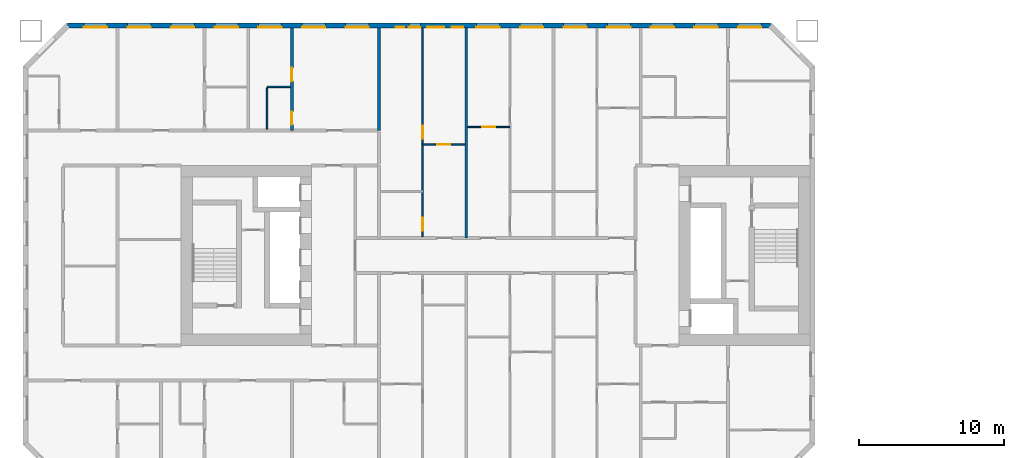
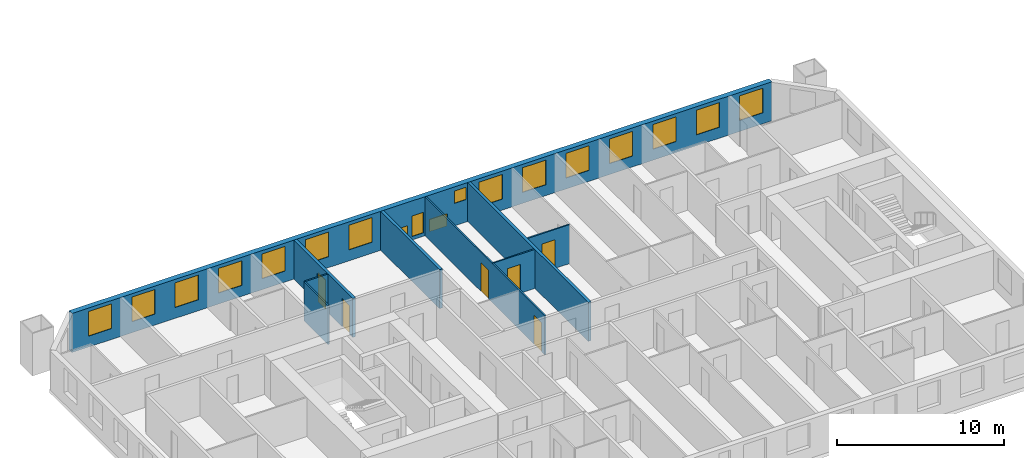
# One storey, part 5 of 16: 18 windows, 9 walls, 6 doors, 24 openings.
"""IFC4 building model written with IfcOpenShell, lengths in metres."""

import ifcopenshell
import ifcopenshell.guid

model = None  # the IFC model being written
_history = None  # IfcOwnerHistory: only IFC2X3 demands one
_inside = {}  # id of a spatial element -> (the spatial element, [elements in it])
_under = {}  # id of a project, library or spatial element -> (it, [spatial elements below it])
_declared = {}  # id of a project -> (the project, [libraries it declares])
_typed = {}  # id of a type object -> (the type object, [elements of that type])
_made_of = {}  # id of a material, layer set ... -> (it, [elements and type objects made of it])


def new_model(schema):
    """Start an empty IFC model of exactly this schema.

    Asked for "IFC4X3", IfcOpenShell would pick the latest addendum, in which some entities
    have other attributes; the version numbers below select the first issue.
    IFC2X3 requires an IfcOwnerHistory on every rooted entity: one is made here for all.
    """
    global model, _history
    if schema == "IFC4X3":
        model = ifcopenshell.file(schema_version=(4, 3, 0, 0))
    else:
        model = ifcopenshell.file(schema=schema)
    _inside.clear()
    _under.clear()
    _declared.clear()
    _typed.clear()
    _made_of.clear()
    _history = None
    if model.schema == "IFC2X3":
        org = make("IfcOrganization", Name="unknown")
        user = make(
            "IfcPersonAndOrganization",
            ThePerson=make("IfcPerson", FamilyName="unknown"),
            TheOrganization=org,
        )
        app = make(
            "IfcApplication",
            ApplicationDeveloper=org,
            Version="unknown",
            ApplicationFullName="unknown",
            ApplicationIdentifier="unknown",
        )
        _history = make(
            "IfcOwnerHistory",
            OwningUser=user,
            OwningApplication=app,
            ChangeAction="ADDED",
            CreationDate=0,
        )
    return model


def make(cls, **values):
    """One entity of the class cls with the attributes given. An attribute that is None is left unset."""
    return model.create_entity(
        cls, **{name: value for name, value in values.items() if value is not None}
    )


def rooted(cls, **values):
    """An entity with a GlobalId (a new one), such as an element, a storey or a relation."""
    return make(cls, GlobalId=ifcopenshell.guid.new(), OwnerHistory=_history, **values)


def si_unit(unit_type, name, prefix=None):
    """IfcSIUnit, for example si_unit("LENGTHUNIT", "METRE", prefix="MILLI")."""
    return make("IfcSIUnit", UnitType=unit_type, Prefix=prefix, Name=name)


def assignment(units):
    """IfcUnitAssignment: the units of a project."""
    return None if units is None else make("IfcUnitAssignment", Units=units)


def point(xyz):
    """IfcCartesianPoint."""
    return None if xyz is None else make("IfcCartesianPoint", Coordinates=xyz)


def direction(xyz):
    """IfcDirection."""
    return None if xyz is None else make("IfcDirection", DirectionRatios=xyz)


def frame(location, z_axis=None, x_axis=None):
    """IfcAxis2Placement3D, a coordinate frame: its origin and axes. An axis left out is left unset."""
    return make(
        "IfcAxis2Placement3D",
        Location=point(location),
        Axis=direction(z_axis),
        RefDirection=direction(x_axis),
    )


def frame_2d(location, x_axis=None):
    """IfcAxis2Placement2D, a coordinate frame in the plane: its origin and x axis."""
    return make(
        "IfcAxis2Placement2D", Location=point(location), RefDirection=direction(x_axis)
    )


def origin():
    """The frame at (0, 0, 0) with its axes left unset."""
    return frame((0.0, 0.0, 0.0))


def place(relative_to, where):
    """IfcLocalPlacement: puts the frame where relative to a parent placement (None: the world)."""
    return make(
        "IfcLocalPlacement", PlacementRelTo=relative_to, RelativePlacement=where
    )


def context(
    kind, dimensions, precision=None, world=None, true_north=None, identifier=None
):
    """IfcGeometricRepresentationContext, for example the 3D "Model" context."""
    return make(
        "IfcGeometricRepresentationContext",
        ContextIdentifier=identifier,
        ContextType=kind,
        CoordinateSpaceDimension=dimensions,
        Precision=precision,
        WorldCoordinateSystem=world,
        TrueNorth=true_north,
    )


def subcontext(parent, identifier, kind, view, scale=None):
    """IfcGeometricRepresentationSubContext, for example "Body" below "Model"."""
    return make(
        "IfcGeometricRepresentationSubContext",
        ContextIdentifier=identifier,
        ContextType=kind,
        ParentContext=parent,
        TargetScale=scale,
        TargetView=view,
    )


def project(units=None, contexts=None):
    """IfcProject with its units and contexts."""
    return rooted(
        "IfcProject",
        Name="project",
        RepresentationContexts=contexts,
        UnitsInContext=assignment(units),
    )


def spatial(cls, under=None, at=None, **own):
    """A site, building, storey or space (cls), placed at a placement, below another one or the project."""
    s = rooted(cls, ObjectPlacement=at, **own)
    if under is not None:
        _under.setdefault(under.id(), (under, []))[1].append(s)
    return s


def profile(cls, at=None, kind="AREA", **sizes):
    """A parametric profile (cls). Its sizes go by their IFC names, for example OverallWidth=200.0."""
    return make(cls, ProfileType=kind, Position=at, **sizes)


def rectangle(**sizes):
    """IfcRectangleProfileDef."""
    return profile("IfcRectangleProfileDef", **sizes)


def extrude(swept, where, along, depth):
    """IfcExtrudedAreaSolid: the profile swept, set in the frame where, extruded along a direction by depth."""
    return make(
        "IfcExtrudedAreaSolid",
        SweptArea=swept,
        Position=where,
        ExtrudedDirection=direction(along),
        Depth=depth,
    )


def shape(context_of_items, identifier, shape_type, items):
    """IfcShapeRepresentation: the items that make up one representation, for example the "Body"."""
    return make(
        "IfcShapeRepresentation",
        ContextOfItems=context_of_items,
        RepresentationIdentifier=identifier,
        RepresentationType=shape_type,
        Items=items,
    )


def material(Name=None, Category=None):
    """IfcMaterial."""
    return make("IfcMaterial", Name=Name, Category=Category)


def layer(
    of_material, thickness, ventilated=None, Name=None, Category=None, Priority=None
):
    """IfcMaterialLayer: one layer of a wall or slab, of a material (None: an air gap)."""
    return make(
        "IfcMaterialLayer",
        Material=of_material,
        LayerThickness=thickness,
        IsVentilated=ventilated,
        Name=Name,
        Category=Category,
        Priority=Priority,
    )


def layer_set(layers, Name=None):
    """IfcMaterialLayerSet."""
    return make("IfcMaterialLayerSet", MaterialLayers=layers, LayerSetName=Name)


def made_of(thing, what):
    """Note that an element or type object is made of a material, layer set ...; save() writes the relation."""
    if what is not None:
        _made_of.setdefault(what.id(), (what, []))[1].append(thing)
    return thing


def type_object(cls, material=None, **own):
    """A type object (cls), such as IfcWallType, which elements share."""
    return made_of(rooted(cls, **own), material)


def element(
    cls,
    number,
    at=None,
    inside=None,
    cuts=None,
    type_object=None,
    material=None,
    context=None,
    identifier="Body",
    shape_type=None,
    held_by="IfcProductDefinitionShape",
    body=None,
    shapes=None,
    **own,
):
    """One element of the class cls, such as IfcWall. Its Tag is "e" and its number.

    at: its placement. inside: the storey or other place that contains it. cuts: it is an
    opening in that element (IfcRelVoidsElement). A single representation is given by context,
    identifier, shape_type and body (its items); several are given by shapes. held_by: the class
    of the entity that holds the representations. save() writes the other relations.
    """
    e = rooted(cls, Tag="e%d" % number, ObjectPlacement=at, **own)
    if body is not None:
        shapes = [shape(context, identifier, shape_type, body)]
    if shapes is not None:
        e.Representation = make(held_by, Representations=shapes)
    if inside is not None:
        _inside.setdefault(inside.id(), (inside, []))[1].append(e)
    if cuts is not None:
        rooted(
            "IfcRelVoidsElement", RelatingBuildingElement=cuts, RelatedOpeningElement=e
        )
    if type_object is not None:
        _typed.setdefault(type_object.id(), (type_object, []))[1].append(e)
    return made_of(e, material)


def fill(opening, filler):
    """IfcRelFillsElement: the door or window that sits in an opening."""
    return rooted(
        "IfcRelFillsElement",
        RelatingOpeningElement=opening,
        RelatedBuildingElement=filler,
    )


def aggregate(whole, parts):
    """IfcRelAggregates: a whole, such as a stair, and the parts it consists of."""
    return rooted("IfcRelAggregates", RelatingObject=whole, RelatedObjects=parts)


def save(model, path):
    """Write the relations noted so far, then the file.

    IfcRelAggregates (storeys below a building ...), IfcRelContainedInSpatialStructure (elements
    in a storey), IfcRelDefinesByType, IfcRelAssociatesMaterial and IfcRelDeclares: one each for
    every whole, place, type object, material and project.
    """
    for whole, parts in _under.values():
        aggregate(whole, parts)
    for where, things in _inside.values():
        rooted(
            "IfcRelContainedInSpatialStructure",
            RelatedElements=things,
            RelatingStructure=where,
        )
    for kind, things in _typed.values():
        rooted("IfcRelDefinesByType", RelatedObjects=things, RelatingType=kind)
    for what, things in _made_of.values():
        rooted("IfcRelAssociatesMaterial", RelatedObjects=things, RelatingMaterial=what)
    for by, libraries in _declared.values():
        rooted("IfcRelDeclares", RelatingContext=by, RelatedDefinitions=libraries)
    model.write(path)


model = new_model("IFC4")

# Units and contexts
model_context = context("Model", 3, precision=1e-05, world=origin(), true_north=direction((0.0, 1.0)))
body_context = subcontext(model_context, "Body", "Model", "MODEL_VIEW")
ifc_project = project(units=[si_unit("LENGTHUNIT", "METRE"), si_unit("AREAUNIT", "SQUARE_METRE"), si_unit("VOLUMEUNIT", "CUBIC_METRE"), si_unit("PLANEANGLEUNIT", "RADIAN"), si_unit("MASSUNIT", "GRAM", prefix="KILO")], contexts=[model_context])

# Site, building, storey
site_placement = place(None, origin())
site = spatial("IfcSite", under=ifc_project, at=site_placement, CompositionType="ELEMENT")
building_placement = place(site_placement, origin())
building = spatial("IfcBuilding", under=site, at=building_placement, Name="Tuart Gate Housing", CompositionType="ELEMENT")
storey_placement = place(building_placement, frame((0.0, 0.0, 59.800048828125)))
storey = spatial("IfcBuildingStorey", under=building, at=storey_placement, Name="L16", CompositionType="ELEMENT", Elevation=59.800048828125)

# Wall, openings, windows
ifc_material_1 = material(Name="Brick", Category="masonry")
ifc_layer_1 = layer(ifc_material_1, 0.360107421875)
ifc_layer_set_1 = layer_set([ifc_layer_1], Name="Brick pier and spandrel wall 360")
wall_type_1 = type_object("IfcWallType", Name="Brick pier and spandrel wall 360", PredefinedType="STANDARD", material=ifc_layer_set_1)
wall_1_placement = place(storey_placement, frame((72.92529296875, 85.820068359375, 0.0), z_axis=(0.0, 0.0, 1.0), x_axis=(-1.0, 0.0, 0.0)))
wall_1 = element("IfcWall", 1, at=wall_1_placement, inside=storey, type_object=wall_type_1, Name="External wall A-N L16", PredefinedType="STANDARD", context=body_context, shape_type="SweptSolid", body=[
    extrude(rectangle(XDim=48.350830078125, YDim=0.360107421875, at=frame_2d((24.17529296875, 0.0))), origin(), (0.0, 0.0, 1.0), 2.849853515625),
])
opening_1_placement = place(wall_1_placement, frame((0.62548828125, 0.0, 0.800048828125)))
opening_1 = element("IfcOpeningElement", 2, at=opening_1_placement, cuts=wall_1, Name="Opening W1", PredefinedType="OPENING", context=body_context, shape_type="SweptSolid", body=[
    extrude(rectangle(XDim=1.60009765625, YDim=1.800048828125, at=frame_2d((0.800048828125, 0.89990234375))), frame((0.0, 0.18994140625, 0.0), z_axis=(0.0, -1.0, 0.0), x_axis=(1.0, 0.0, 0.0)), (0.0, 0.0, 1.0), 0.380126953125),
])
opening_2_placement = place(wall_1_placement, frame((3.62548828125, 0.0, 0.800048828125)))
opening_2 = element("IfcOpeningElement", 3, at=opening_2_placement, cuts=wall_1, Name="Opening W1", PredefinedType="OPENING", context=body_context, shape_type="SweptSolid", body=[
    extrude(rectangle(XDim=1.60009765625, YDim=1.800048828125, at=frame_2d((0.800048828125, 0.89990234375))), frame((0.0, 0.18994140625, 0.0), z_axis=(0.0, -1.0, 0.0), x_axis=(1.0, 0.0, 0.0)), (0.0, 0.0, 1.0), 0.380126953125),
])
opening_3_placement = place(wall_1_placement, frame((6.62548828125, 0.0, 0.800048828125)))
opening_3 = element("IfcOpeningElement", 4, at=opening_3_placement, cuts=wall_1, Name="Opening W1", PredefinedType="OPENING", context=body_context, shape_type="SweptSolid", body=[
    extrude(rectangle(XDim=1.60009765625, YDim=1.800048828125, at=frame_2d((0.800048828125, 0.89990234375))), frame((0.0, 0.18994140625, 0.0), z_axis=(0.0, -1.0, 0.0), x_axis=(1.0, 0.0, 0.0)), (0.0, 0.0, 1.0), 0.380126953125),
])
opening_4_placement = place(wall_1_placement, frame((9.62548828125, 0.0, 0.800048828125)))
opening_4 = element("IfcOpeningElement", 5, at=opening_4_placement, cuts=wall_1, Name="Opening W1", PredefinedType="OPENING", context=body_context, shape_type="SweptSolid", body=[
    extrude(rectangle(XDim=1.60009765625, YDim=1.800048828125, at=frame_2d((0.800048828125, 0.89990234375))), frame((0.0, 0.18994140625, 0.0), z_axis=(0.0, -1.0, 0.0), x_axis=(1.0, 0.0, 0.0)), (0.0, 0.0, 1.0), 0.380126953125),
])
opening_5_placement = place(wall_1_placement, frame((12.62548828125, 0.0, 0.800048828125)))
opening_5 = element("IfcOpeningElement", 6, at=opening_5_placement, cuts=wall_1, Name="Opening W1", PredefinedType="OPENING", context=body_context, shape_type="SweptSolid", body=[
    extrude(rectangle(XDim=1.60009765625, YDim=1.800048828125, at=frame_2d((0.800048828125, 0.89990234375))), frame((0.0, 0.18994140625, 0.0), z_axis=(0.0, -1.0, 0.0), x_axis=(1.0, 0.0, 0.0)), (0.0, 0.0, 1.0), 0.380126953125),
])
opening_6_placement = place(wall_1_placement, frame((15.62548828125, 0.0, 0.800048828125)))
opening_6 = element("IfcOpeningElement", 7, at=opening_6_placement, cuts=wall_1, Name="Opening W1", PredefinedType="OPENING", context=body_context, shape_type="SweptSolid", body=[
    extrude(rectangle(XDim=1.60009765625, YDim=1.800048828125, at=frame_2d((0.800048828125, 0.89990234375))), frame((0.0, 0.18994140625, 0.0), z_axis=(0.0, -1.0, 0.0), x_axis=(1.0, 0.0, 0.0)), (0.0, 0.0, 1.0), 0.380126953125),
])
opening_7_placement = place(wall_1_placement, frame((18.62548828125, 0.0, 0.800048828125)))
opening_7 = element("IfcOpeningElement", 8, at=opening_7_placement, cuts=wall_1, Name="Opening W1", PredefinedType="OPENING", context=body_context, shape_type="SweptSolid", body=[
    extrude(rectangle(XDim=1.60009765625, YDim=1.800048828125, at=frame_2d((0.800048828125, 0.89990234375))), frame((0.0, 0.18994140625, 0.0), z_axis=(0.0, -1.0, 0.0), x_axis=(1.0, 0.0, 0.0)), (0.0, 0.0, 1.0), 0.380126953125),
])
opening_8_placement = place(wall_1_placement, frame((21.12548828125, 0.0, 1.64990234375)))
opening_8 = element("IfcOpeningElement", 9, at=opening_8_placement, cuts=wall_1, Name="Opening W1V", PredefinedType="OPENING", context=body_context, shape_type="SweptSolid", body=[
    extrude(rectangle(XDim=0.800048828125, YDim=0.89990234375, at=frame_2d((0.39990234375, 0.449951171875))), frame((0.0, 0.18994140625, 0.0), z_axis=(0.0, -1.0, 0.0), x_axis=(1.0, 0.0, 0.0)), (0.0, 0.0, 1.0), 0.380126953125),
])
opening_9_placement = place(wall_1_placement, frame((24.075439453125, 0.0, 0.25)))
opening_9 = element("IfcOpeningElement", 10, at=opening_9_placement, cuts=wall_1, Name="Opening W1J", PredefinedType="OPENING", context=body_context, shape_type="SweptSolid", body=[
    extrude(rectangle(XDim=0.800048828125, YDim=1.5, at=frame_2d((0.39990234375, 0.75))), frame((0.0, 0.18994140625, 0.0), z_axis=(0.0, -1.0, 0.0), x_axis=(1.0, 0.0, 0.0)), (0.0, 0.0, 1.0), 0.380126953125),
])
opening_10_placement = place(wall_1_placement, frame((27.62548828125, 0.0, 0.800048828125)))
opening_10 = element("IfcOpeningElement", 11, at=opening_10_placement, cuts=wall_1, Name="Opening W1", PredefinedType="OPENING", context=body_context, shape_type="SweptSolid", body=[
    extrude(rectangle(XDim=1.60009765625, YDim=1.800048828125, at=frame_2d((0.800048828125, 0.89990234375))), frame((0.0, 0.18994140625, 0.0), z_axis=(0.0, -1.0, 0.0), x_axis=(1.0, 0.0, 0.0)), (0.0, 0.0, 1.0), 0.380126953125),
])
opening_11_placement = place(wall_1_placement, frame((30.62548828125, 0.0, 0.800048828125)))
opening_11 = element("IfcOpeningElement", 12, at=opening_11_placement, cuts=wall_1, Name="Opening W1", PredefinedType="OPENING", context=body_context, shape_type="SweptSolid", body=[
    extrude(rectangle(XDim=1.60009765625, YDim=1.800048828125, at=frame_2d((0.800048828125, 0.89990234375))), frame((0.0, 0.18994140625, 0.0), z_axis=(0.0, -1.0, 0.0), x_axis=(1.0, 0.0, 0.0)), (0.0, 0.0, 1.0), 0.380126953125),
])
opening_12_placement = place(wall_1_placement, frame((33.62548828125, 0.0, 0.800048828125)))
opening_12 = element("IfcOpeningElement", 13, at=opening_12_placement, cuts=wall_1, Name="Opening W1", PredefinedType="OPENING", context=body_context, shape_type="SweptSolid", body=[
    extrude(rectangle(XDim=1.60009765625, YDim=1.800048828125, at=frame_2d((0.800048828125, 0.89990234375))), frame((0.0, 0.18994140625, 0.0), z_axis=(0.0, -1.0, 0.0), x_axis=(1.0, 0.0, 0.0)), (0.0, 0.0, 1.0), 0.380126953125),
])
opening_13_placement = place(wall_1_placement, frame((36.62548828125, 0.0, 0.800048828125)))
opening_13 = element("IfcOpeningElement", 14, at=opening_13_placement, cuts=wall_1, Name="Opening W1", PredefinedType="OPENING", context=body_context, shape_type="SweptSolid", body=[
    extrude(rectangle(XDim=1.60009765625, YDim=1.800048828125, at=frame_2d((0.800048828125, 0.89990234375))), frame((0.0, 0.18994140625, 0.0), z_axis=(0.0, -1.0, 0.0), x_axis=(1.0, 0.0, 0.0)), (0.0, 0.0, 1.0), 0.380126953125),
])
opening_14_placement = place(wall_1_placement, frame((39.62548828125, 0.0, 0.800048828125)))
opening_14 = element("IfcOpeningElement", 15, at=opening_14_placement, cuts=wall_1, Name="Opening W1", PredefinedType="OPENING", context=body_context, shape_type="SweptSolid", body=[
    extrude(rectangle(XDim=1.60009765625, YDim=1.800048828125, at=frame_2d((0.800048828125, 0.89990234375))), frame((0.0, 0.18994140625, 0.0), z_axis=(0.0, -1.0, 0.0), x_axis=(1.0, 0.0, 0.0)), (0.0, 0.0, 1.0), 0.380126953125),
])
opening_15_placement = place(wall_1_placement, frame((42.62548828125, 0.0, 0.800048828125)))
opening_15 = element("IfcOpeningElement", 16, at=opening_15_placement, cuts=wall_1, Name="Opening W1", PredefinedType="OPENING", context=body_context, shape_type="SweptSolid", body=[
    extrude(rectangle(XDim=1.60009765625, YDim=1.800048828125, at=frame_2d((0.800048828125, 0.89990234375))), frame((0.0, 0.18994140625, 0.0), z_axis=(0.0, -1.0, 0.0), x_axis=(1.0, 0.0, 0.0)), (0.0, 0.0, 1.0), 0.380126953125),
])
opening_16_placement = place(wall_1_placement, frame((45.62548828125, 0.0, 0.800048828125)))
opening_16 = element("IfcOpeningElement", 17, at=opening_16_placement, cuts=wall_1, Name="Opening W1", PredefinedType="OPENING", context=body_context, shape_type="SweptSolid", body=[
    extrude(rectangle(XDim=1.60009765625, YDim=1.800048828125, at=frame_2d((0.800048828125, 0.89990234375))), frame((0.0, 0.18994140625, 0.0), z_axis=(0.0, -1.0, 0.0), x_axis=(1.0, 0.0, 0.0)), (0.0, 0.0, 1.0), 0.380126953125),
])
opening_17_placement = place(wall_1_placement, frame((22.42529296875, 0.0, 0.14990234375)))
opening_17 = element("IfcOpeningElement", 18, at=opening_17_placement, cuts=wall_1, Name="Opening W1T", PredefinedType="OPENING", context=body_context, shape_type="SweptSolid", body=[
    extrude(rectangle(XDim=1.199951171875, YDim=0.89990234375, at=frame_2d((0.60009765625, 0.449951171875))), frame((0.0, 0.18994140625, 0.0), z_axis=(0.0, -1.0, 0.0), x_axis=(1.0, 0.0, 0.0)), (0.0, 0.0, 1.0), 0.380126953125),
])
opening_18_placement = place(wall_1_placement, frame((25.17529296875, 0.0, 0.25)))
opening_18 = element("IfcOpeningElement", 19, at=opening_18_placement, cuts=wall_1, Name="Opening W1W", PredefinedType="OPENING", context=body_context, shape_type="SweptSolid", body=[
    extrude(rectangle(XDim=0.60009765625, YDim=0.89990234375, at=frame_2d((0.300048828125, 0.449951171875))), frame((0.0, 0.18994140625, 0.0), z_axis=(0.0, -1.0, 0.0), x_axis=(1.0, 0.0, 0.0)), (0.0, 0.0, 1.0), 0.380126953125),
])
ifc_material_2 = material(Name="Aluminium frame with clear glass", Category="aluminium")
window_type_1 = type_object("IfcWindowType", Name="Punched window 1200 x 900", PartitioningType="SINGLE_PANEL", PredefinedType="WINDOW", material=ifc_material_2)
window_1_placement = place(opening_17_placement, origin())
window_1 = element("IfcWindow", 20, at=window_1_placement, inside=storey, type_object=window_type_1, Name="Window W1T", OverallHeight=0.89990234375, OverallWidth=1.199951171875, PartitioningType="SINGLE_PANEL", PredefinedType="WINDOW", context=body_context, shape_type="SweptSolid", body=[
    extrude(rectangle(XDim=1.199951171875, YDim=0.89990234375, at=frame_2d((0.60009765625, 0.449951171875))), frame((0.0, 0.150146484375, 0.0), z_axis=(0.0, -1.0, 0.0), x_axis=(1.0, 0.0, 0.0)), (0.0, 0.0, 1.0), 0.06005859375),
])
fill(opening_17, window_1)
ifc_material_3 = material(Name="Aluminium frame with clear glass", Category="aluminium")
window_type_2 = type_object("IfcWindowType", Name="Punched window 1600 x 1800", PartitioningType="SINGLE_PANEL", PredefinedType="WINDOW", material=ifc_material_3)
window_2_placement = place(opening_1_placement, origin())
window_2 = element("IfcWindow", 21, at=window_2_placement, inside=storey, type_object=window_type_2, Name="Window W1", OverallHeight=1.800048828125, OverallWidth=1.60009765625, PartitioningType="SINGLE_PANEL", PredefinedType="WINDOW", context=body_context, shape_type="SweptSolid", body=[
    extrude(rectangle(XDim=1.60009765625, YDim=1.800048828125, at=frame_2d((0.800048828125, 0.89990234375))), frame((0.0, 0.150146484375, 0.0), z_axis=(0.0, -1.0, 0.0), x_axis=(1.0, 0.0, 0.0)), (0.0, 0.0, 1.0), 0.06005859375),
])
fill(opening_1, window_2)
window_3_placement = place(opening_2_placement, origin())
window_3 = element("IfcWindow", 22, at=window_3_placement, inside=storey, type_object=window_type_2, Name="Window W1", OverallHeight=1.800048828125, OverallWidth=1.60009765625, PartitioningType="SINGLE_PANEL", PredefinedType="WINDOW", context=body_context, shape_type="SweptSolid", body=[
    extrude(rectangle(XDim=1.60009765625, YDim=1.800048828125, at=frame_2d((0.800048828125, 0.89990234375))), frame((0.0, 0.150146484375, 0.0), z_axis=(0.0, -1.0, 0.0), x_axis=(1.0, 0.0, 0.0)), (0.0, 0.0, 1.0), 0.06005859375),
])
fill(opening_2, window_3)
window_4_placement = place(opening_3_placement, origin())
window_4 = element("IfcWindow", 23, at=window_4_placement, inside=storey, type_object=window_type_2, Name="Window W1", OverallHeight=1.800048828125, OverallWidth=1.60009765625, PartitioningType="SINGLE_PANEL", PredefinedType="WINDOW", context=body_context, shape_type="SweptSolid", body=[
    extrude(rectangle(XDim=1.60009765625, YDim=1.800048828125, at=frame_2d((0.800048828125, 0.89990234375))), frame((0.0, 0.150146484375, 0.0), z_axis=(0.0, -1.0, 0.0), x_axis=(1.0, 0.0, 0.0)), (0.0, 0.0, 1.0), 0.06005859375),
])
fill(opening_3, window_4)
window_5_placement = place(opening_4_placement, origin())
window_5 = element("IfcWindow", 24, at=window_5_placement, inside=storey, type_object=window_type_2, Name="Window W1", OverallHeight=1.800048828125, OverallWidth=1.60009765625, PartitioningType="SINGLE_PANEL", PredefinedType="WINDOW", context=body_context, shape_type="SweptSolid", body=[
    extrude(rectangle(XDim=1.60009765625, YDim=1.800048828125, at=frame_2d((0.800048828125, 0.89990234375))), frame((0.0, 0.150146484375, 0.0), z_axis=(0.0, -1.0, 0.0), x_axis=(1.0, 0.0, 0.0)), (0.0, 0.0, 1.0), 0.06005859375),
])
fill(opening_4, window_5)
window_6_placement = place(opening_5_placement, origin())
window_6 = element("IfcWindow", 25, at=window_6_placement, inside=storey, type_object=window_type_2, Name="Window W1", OverallHeight=1.800048828125, OverallWidth=1.60009765625, PartitioningType="SINGLE_PANEL", PredefinedType="WINDOW", context=body_context, shape_type="SweptSolid", body=[
    extrude(rectangle(XDim=1.60009765625, YDim=1.800048828125, at=frame_2d((0.800048828125, 0.89990234375))), frame((0.0, 0.150146484375, 0.0), z_axis=(0.0, -1.0, 0.0), x_axis=(1.0, 0.0, 0.0)), (0.0, 0.0, 1.0), 0.06005859375),
])
fill(opening_5, window_6)
window_7_placement = place(opening_6_placement, origin())
window_7 = element("IfcWindow", 26, at=window_7_placement, inside=storey, type_object=window_type_2, Name="Window W1", OverallHeight=1.800048828125, OverallWidth=1.60009765625, PartitioningType="SINGLE_PANEL", PredefinedType="WINDOW", context=body_context, shape_type="SweptSolid", body=[
    extrude(rectangle(XDim=1.60009765625, YDim=1.800048828125, at=frame_2d((0.800048828125, 0.89990234375))), frame((0.0, 0.150146484375, 0.0), z_axis=(0.0, -1.0, 0.0), x_axis=(1.0, 0.0, 0.0)), (0.0, 0.0, 1.0), 0.06005859375),
])
fill(opening_6, window_7)
window_8_placement = place(opening_7_placement, origin())
window_8 = element("IfcWindow", 27, at=window_8_placement, inside=storey, type_object=window_type_2, Name="Window W1", OverallHeight=1.800048828125, OverallWidth=1.60009765625, PartitioningType="SINGLE_PANEL", PredefinedType="WINDOW", context=body_context, shape_type="SweptSolid", body=[
    extrude(rectangle(XDim=1.60009765625, YDim=1.800048828125, at=frame_2d((0.800048828125, 0.89990234375))), frame((0.0, 0.150146484375, 0.0), z_axis=(0.0, -1.0, 0.0), x_axis=(1.0, 0.0, 0.0)), (0.0, 0.0, 1.0), 0.06005859375),
])
fill(opening_7, window_8)
window_9_placement = place(opening_10_placement, origin())
window_9 = element("IfcWindow", 28, at=window_9_placement, inside=storey, type_object=window_type_2, Name="Window W1", OverallHeight=1.800048828125, OverallWidth=1.60009765625, PartitioningType="SINGLE_PANEL", PredefinedType="WINDOW", context=body_context, shape_type="SweptSolid", body=[
    extrude(rectangle(XDim=1.60009765625, YDim=1.800048828125, at=frame_2d((0.800048828125, 0.89990234375))), frame((0.0, 0.150146484375, 0.0), z_axis=(0.0, -1.0, 0.0), x_axis=(1.0, 0.0, 0.0)), (0.0, 0.0, 1.0), 0.06005859375),
])
fill(opening_10, window_9)
window_10_placement = place(opening_11_placement, origin())
window_10 = element("IfcWindow", 29, at=window_10_placement, inside=storey, type_object=window_type_2, Name="Window W1", OverallHeight=1.800048828125, OverallWidth=1.60009765625, PartitioningType="SINGLE_PANEL", PredefinedType="WINDOW", context=body_context, shape_type="SweptSolid", body=[
    extrude(rectangle(XDim=1.60009765625, YDim=1.800048828125, at=frame_2d((0.800048828125, 0.89990234375))), frame((0.0, 0.150146484375, 0.0), z_axis=(0.0, -1.0, 0.0), x_axis=(1.0, 0.0, 0.0)), (0.0, 0.0, 1.0), 0.06005859375),
])
fill(opening_11, window_10)
window_11_placement = place(opening_12_placement, origin())
window_11 = element("IfcWindow", 30, at=window_11_placement, inside=storey, type_object=window_type_2, Name="Window W1", OverallHeight=1.800048828125, OverallWidth=1.60009765625, PartitioningType="SINGLE_PANEL", PredefinedType="WINDOW", context=body_context, shape_type="SweptSolid", body=[
    extrude(rectangle(XDim=1.60009765625, YDim=1.800048828125, at=frame_2d((0.800048828125, 0.89990234375))), frame((0.0, 0.150146484375, 0.0), z_axis=(0.0, -1.0, 0.0), x_axis=(1.0, 0.0, 0.0)), (0.0, 0.0, 1.0), 0.06005859375),
])
fill(opening_12, window_11)
window_12_placement = place(opening_13_placement, origin())
window_12 = element("IfcWindow", 31, at=window_12_placement, inside=storey, type_object=window_type_2, Name="Window W1", OverallHeight=1.800048828125, OverallWidth=1.60009765625, PartitioningType="SINGLE_PANEL", PredefinedType="WINDOW", context=body_context, shape_type="SweptSolid", body=[
    extrude(rectangle(XDim=1.60009765625, YDim=1.800048828125, at=frame_2d((0.800048828125, 0.89990234375))), frame((0.0, 0.150146484375, 0.0), z_axis=(0.0, -1.0, 0.0), x_axis=(1.0, 0.0, 0.0)), (0.0, 0.0, 1.0), 0.06005859375),
])
fill(opening_13, window_12)
window_13_placement = place(opening_14_placement, origin())
window_13 = element("IfcWindow", 32, at=window_13_placement, inside=storey, type_object=window_type_2, Name="Window W1", OverallHeight=1.800048828125, OverallWidth=1.60009765625, PartitioningType="SINGLE_PANEL", PredefinedType="WINDOW", context=body_context, shape_type="SweptSolid", body=[
    extrude(rectangle(XDim=1.60009765625, YDim=1.800048828125, at=frame_2d((0.800048828125, 0.89990234375))), frame((0.0, 0.150146484375, 0.0), z_axis=(0.0, -1.0, 0.0), x_axis=(1.0, 0.0, 0.0)), (0.0, 0.0, 1.0), 0.06005859375),
])
fill(opening_14, window_13)
window_14_placement = place(opening_15_placement, origin())
window_14 = element("IfcWindow", 33, at=window_14_placement, inside=storey, type_object=window_type_2, Name="Window W1", OverallHeight=1.800048828125, OverallWidth=1.60009765625, PartitioningType="SINGLE_PANEL", PredefinedType="WINDOW", context=body_context, shape_type="SweptSolid", body=[
    extrude(rectangle(XDim=1.60009765625, YDim=1.800048828125, at=frame_2d((0.800048828125, 0.89990234375))), frame((0.0, 0.150146484375, 0.0), z_axis=(0.0, -1.0, 0.0), x_axis=(1.0, 0.0, 0.0)), (0.0, 0.0, 1.0), 0.06005859375),
])
fill(opening_15, window_14)
window_15_placement = place(opening_16_placement, origin())
window_15 = element("IfcWindow", 34, at=window_15_placement, inside=storey, type_object=window_type_2, Name="Window W1", OverallHeight=1.800048828125, OverallWidth=1.60009765625, PartitioningType="SINGLE_PANEL", PredefinedType="WINDOW", context=body_context, shape_type="SweptSolid", body=[
    extrude(rectangle(XDim=1.60009765625, YDim=1.800048828125, at=frame_2d((0.800048828125, 0.89990234375))), frame((0.0, 0.150146484375, 0.0), z_axis=(0.0, -1.0, 0.0), x_axis=(1.0, 0.0, 0.0)), (0.0, 0.0, 1.0), 0.06005859375),
])
fill(opening_16, window_15)
ifc_material_4 = material(Name="Aluminium frame with clear glass", Category="aluminium")
window_type_3 = type_object("IfcWindowType", Name="Punched window 600 x 900", PartitioningType="SINGLE_PANEL", PredefinedType="WINDOW", material=ifc_material_4)
window_16_placement = place(opening_18_placement, origin())
window_16 = element("IfcWindow", 35, at=window_16_placement, inside=storey, type_object=window_type_3, Name="Window W1W", OverallHeight=0.89990234375, OverallWidth=0.60009765625, PartitioningType="SINGLE_PANEL", PredefinedType="WINDOW", context=body_context, shape_type="SweptSolid", body=[
    extrude(rectangle(XDim=0.60009765625, YDim=0.89990234375, at=frame_2d((0.300048828125, 0.449951171875))), frame((0.0, 0.150146484375, 0.0), z_axis=(0.0, -1.0, 0.0), x_axis=(1.0, 0.0, 0.0)), (0.0, 0.0, 1.0), 0.06005859375),
])
fill(opening_18, window_16)
ifc_material_5 = material(Name="Aluminium frame with clear glass", Category="aluminium")
window_type_4 = type_object("IfcWindowType", Name="Punched window 800 x 1500", PartitioningType="SINGLE_PANEL", PredefinedType="WINDOW", material=ifc_material_5)
window_17_placement = place(opening_9_placement, origin())
window_17 = element("IfcWindow", 36, at=window_17_placement, inside=storey, type_object=window_type_4, Name="Window W1J", OverallHeight=1.5, OverallWidth=0.800048828125, PartitioningType="SINGLE_PANEL", PredefinedType="WINDOW", context=body_context, shape_type="SweptSolid", body=[
    extrude(rectangle(XDim=0.800048828125, YDim=1.5, at=frame_2d((0.39990234375, 0.75))), frame((0.0, 0.150146484375, 0.0), z_axis=(0.0, -1.0, 0.0), x_axis=(1.0, 0.0, 0.0)), (0.0, 0.0, 1.0), 0.06005859375),
])
fill(opening_9, window_17)
ifc_material_6 = material(Name="Aluminium frame with clear glass", Category="aluminium")
window_type_5 = type_object("IfcWindowType", Name="Punched window 800 x 900", PartitioningType="SINGLE_PANEL", PredefinedType="WINDOW", material=ifc_material_6)
window_18_placement = place(opening_8_placement, origin())
window_18 = element("IfcWindow", 37, at=window_18_placement, inside=storey, type_object=window_type_5, Name="Window W1V", OverallHeight=0.89990234375, OverallWidth=0.800048828125, PartitioningType="SINGLE_PANEL", PredefinedType="WINDOW", context=body_context, shape_type="SweptSolid", body=[
    extrude(rectangle(XDim=0.800048828125, YDim=0.89990234375, at=frame_2d((0.39990234375, 0.449951171875))), frame((0.0, 0.150146484375, 0.0), z_axis=(0.0, -1.0, 0.0), x_axis=(1.0, 0.0, 0.0)), (0.0, 0.0, 1.0), 0.06005859375),
])
fill(opening_8, window_18)

# Wall, opening, door
ifc_material_7 = material(Name="Gypsum board on steel studs", Category="steel")
ifc_layer_2 = layer(ifc_material_7, 0.10009765625)
ifc_layer_set_2 = layer_set([ifc_layer_2], Name="Partition 100")
wall_type_2 = type_object("IfcWallType", Name="Partition 100", PredefinedType="PARTITIONING", material=ifc_layer_set_2)
wall_2_placement = place(storey_placement, frame((49.0, 77.639892578125, 0.0), z_axis=(0.0, 0.0, 1.0), x_axis=(1.0, 0.0, 0.0)))
wall_2 = element("IfcWall", 38, at=wall_2_placement, inside=storey, type_object=wall_type_2, Name="Partition 100", PredefinedType="PARTITIONING", context=body_context, shape_type="SweptSolid", body=[
    extrude(rectangle(XDim=2.89990234375, YDim=0.10009765625, at=frame_2d((1.449951171875, 0.0))), origin(), (0.0, 0.0, 1.0), 2.849853515625),
])
opening_19_placement = place(wall_2_placement, frame((1.0, 0.0, 0.0)))
opening_19 = element("IfcOpeningElement", 39, at=opening_19_placement, cuts=wall_2, Name="Opening D733", PredefinedType="OPENING", context=body_context, shape_type="SweptSolid", body=[
    extrude(rectangle(XDim=0.89990234375, YDim=2.10009765625, at=frame_2d((0.449951171875, 1.050048828125))), frame((0.0, 0.06005859375, 0.0), z_axis=(0.0, -1.0, 0.0), x_axis=(1.0, 0.0, 0.0)), (0.0, 0.0, 1.0), 0.1201171875),
])
ifc_material_8 = material(Name="Timber door leaf in steel frame", Category="steel")
door_type_1 = type_object("IfcDoorType", Name="Internal door 900 RH", OperationType="SINGLE_SWING_RIGHT", PredefinedType="DOOR", material=ifc_material_8)
door_1_placement = place(opening_19_placement, frame((0.89990234375, 0.0, 0.0), z_axis=(0.0, 0.0, 1.0), x_axis=(-1.0, 0.0, 0.0)))
door_1 = element("IfcDoor", 40, at=door_1_placement, inside=storey, type_object=door_type_1, Name="Internal door", OperationType="SINGLE_SWING_RIGHT", OverallHeight=2.10009765625, OverallWidth=0.89990234375, PredefinedType="DOOR", context=body_context, shape_type="SweptSolid", body=[
    extrude(rectangle(XDim=0.89990234375, YDim=2.10009765625, at=frame_2d((0.449951171875, 1.050048828125))), frame((0.0, 0.025146484375, 0.0), z_axis=(0.0, -1.0, 0.0), x_axis=(1.0, 0.0, 0.0)), (0.0, 0.0, 1.0), 0.050048828125),
])
fill(opening_19, door_1)

wall_3_placement = place(storey_placement, frame((52.10009765625, 78.840087890625, 0.0), z_axis=(0.0, 0.0, 1.0), x_axis=(1.0, 0.0, 0.0)))
wall_3 = element("IfcWall", 41, at=wall_3_placement, inside=storey, type_object=wall_type_2, Name="Partition 100", PredefinedType="PARTITIONING", context=body_context, shape_type="SweptSolid", body=[
    extrude(rectangle(XDim=2.89990234375, YDim=0.10009765625, at=frame_2d((1.449951171875, 0.0))), origin(), (0.0, 0.0, 1.0), 2.849853515625),
])
opening_20_placement = place(wall_3_placement, frame((1.0, 0.0, 0.0)))
opening_20 = element("IfcOpeningElement", 42, at=opening_20_placement, cuts=wall_3, Name="Opening D723", PredefinedType="OPENING", context=body_context, shape_type="SweptSolid", body=[
    extrude(rectangle(XDim=0.89990234375, YDim=2.10009765625, at=frame_2d((0.449951171875, 1.050048828125))), frame((0.0, 0.06005859375, 0.0), z_axis=(0.0, -1.0, 0.0), x_axis=(1.0, 0.0, 0.0)), (0.0, 0.0, 1.0), 0.1201171875),
])
ifc_material_9 = material(Name="Timber door leaf in steel frame", Category="steel")
door_type_2 = type_object("IfcDoorType", Name="Internal door 900", OperationType="SINGLE_SWING_LEFT", PredefinedType="DOOR", material=ifc_material_9)
door_2_placement = place(opening_20_placement, frame((0.89990234375, 0.0, 0.0), z_axis=(0.0, 0.0, 1.0), x_axis=(-1.0, 0.0, 0.0)))
door_2 = element("IfcDoor", 43, at=door_2_placement, inside=storey, type_object=door_type_2, Name="Internal door", OperationType="SINGLE_SWING_LEFT", OverallHeight=2.10009765625, OverallWidth=0.89990234375, PredefinedType="DOOR", context=body_context, shape_type="SweptSolid", body=[
    extrude(rectangle(XDim=0.89990234375, YDim=2.10009765625, at=frame_2d((0.449951171875, 1.050048828125))), frame((0.0, 0.025146484375, 0.0), z_axis=(0.0, -1.0, 0.0), x_axis=(1.0, 0.0, 0.0)), (0.0, 0.0, 1.0), 0.050048828125),
])
fill(opening_20, door_2)

# Walls
wall_4_placement = place(storey_placement, frame((38.300048828125, 81.60009765625, 0.0), z_axis=(0.0, 0.0, 1.0), x_axis=(1.0, 0.0, 0.0)))
element("IfcWall", 44, at=wall_4_placement, inside=storey, type_object=wall_type_2, Name="Partition 100", PredefinedType="PARTITIONING", context=body_context, shape_type="SweptSolid", body=[
    extrude(rectangle(XDim=1.599853515625, YDim=0.10009765625, at=frame_2d((0.7998046875, 0.0))), origin(), (0.0, 0.0, 1.0), 2.849853515625),
])
wall_5_placement = place(storey_placement, frame((38.300048828125, 78.699951171875, 0.0), z_axis=(0.0, 0.0, 1.0), x_axis=(0.0, 1.0, 0.0)))
element("IfcWall", 45, at=wall_5_placement, inside=storey, type_object=wall_type_2, Name="Partition 100", PredefinedType="PARTITIONING", context=body_context, shape_type="SweptSolid", body=[
    extrude(rectangle(XDim=2.85009765625, YDim=0.10009765625, at=frame_2d((1.425048828125, 0.0))), origin(), (0.0, 0.0, 1.0), 2.849853515625),
])

# Wall, openings, doors
wall_6_placement = place(storey_placement, frame((49.0, 71.300048828125, 0.0), z_axis=(0.0, 0.0, 1.0), x_axis=(0.0, 1.0, 0.0)))
wall_6 = element("IfcWall", 46, at=wall_6_placement, inside=storey, type_object=wall_type_2, Name="Partition 100", PredefinedType="PARTITIONING", context=body_context, shape_type="SweptSolid", body=[
    extrude(rectangle(XDim=14.33984375, YDim=0.10009765625, at=frame_2d((7.169921875, 0.0))), origin(), (0.0, 0.0, 1.0), 2.849853515625),
])
opening_21_placement = place(wall_6_placement, frame((6.739990234375, 0.0, 0.0)))
opening_21 = element("IfcOpeningElement", 47, at=opening_21_placement, cuts=wall_6, Name="Opening D728", PredefinedType="OPENING", context=body_context, shape_type="SweptSolid", body=[
    extrude(rectangle(XDim=0.89990234375, YDim=2.10009765625, at=frame_2d((0.449951171875, 1.050048828125))), frame((0.0, 0.06005859375, 0.0), z_axis=(0.0, -1.0, 0.0), x_axis=(1.0, 0.0, 0.0)), (0.0, 0.0, 1.0), 0.1201171875),
])
opening_22_placement = place(wall_6_placement, frame((0.39990234375, 0.0, 0.0)))
opening_22 = element("IfcOpeningElement", 48, at=opening_22_placement, cuts=wall_6, Name="Opening D727", PredefinedType="OPENING", context=body_context, shape_type="SweptSolid", body=[
    extrude(rectangle(XDim=0.89990234375, YDim=2.10009765625, at=frame_2d((0.449951171875, 1.050048828125))), frame((0.0, 0.06005859375, 0.0), z_axis=(0.0, -1.0, 0.0), x_axis=(1.0, 0.0, 0.0)), (0.0, 0.0, 1.0), 0.1201171875),
])
ifc_material_10 = material(Name="Timber door leaf in steel frame", Category="steel")
door_type_3 = type_object("IfcDoorType", Name="Bathroom door 900", OperationType="SINGLE_SWING_LEFT", PredefinedType="DOOR", material=ifc_material_10)
door_3_placement = place(opening_22_placement, origin())
door_3 = element("IfcDoor", 49, at=door_3_placement, inside=storey, type_object=door_type_3, Name="Bathroom door", OperationType="SINGLE_SWING_LEFT", OverallHeight=2.10009765625, OverallWidth=0.89990234375, PredefinedType="DOOR", context=body_context, shape_type="SweptSolid", body=[
    extrude(rectangle(XDim=0.89990234375, YDim=2.10009765625, at=frame_2d((0.449951171875, 1.050048828125))), frame((0.0, 0.02490234375, 0.0), z_axis=(0.0, -1.0, 0.0), x_axis=(1.0, 0.0, 0.0)), (0.0, 0.0, 1.0), 0.050048828125),
])
fill(opening_22, door_3)
door_4_placement = place(opening_21_placement, origin())
door_4 = element("IfcDoor", 50, at=door_4_placement, inside=storey, type_object=door_type_2, Name="Internal door", OperationType="SINGLE_SWING_LEFT", OverallHeight=2.10009765625, OverallWidth=0.89990234375, PredefinedType="DOOR", context=body_context, shape_type="SweptSolid", body=[
    extrude(rectangle(XDim=0.89990234375, YDim=2.10009765625, at=frame_2d((0.449951171875, 1.050048828125))), frame((0.0, 0.02490234375, 0.0), z_axis=(0.0, -1.0, 0.0), x_axis=(1.0, 0.0, 0.0)), (0.0, 0.0, 1.0), 0.050048828125),
])
fill(opening_21, door_4)

ifc_material_11 = material(Name="Concrete C40", Category="concrete")
ifc_layer_3 = layer(ifc_material_11, 0.199951171875)
ifc_layer_set_3 = layer_set([ifc_layer_3], Name="Party wall concrete C40 200")
wall_type_3 = type_object("IfcWallType", Name="Party wall concrete C40 200", PredefinedType="SOLIDWALL", material=ifc_layer_set_3)
wall_7_placement = place(storey_placement, frame((40.0, 78.60009765625, 0.0), z_axis=(0.0, 0.0, 1.0), x_axis=(0.0, 1.0, 0.0)))
wall_7 = element("IfcWall", 51, at=wall_7_placement, inside=storey, type_object=wall_type_3, Name="Party wall concrete C40 200", PredefinedType="SOLIDWALL", context=body_context, shape_type="SweptSolid", body=[
    extrude(rectangle(XDim=7.039794921875, YDim=0.199951171875, at=frame_2d((3.52001953125, 0.0))), origin(), (0.0, 0.0, 1.0), 2.849853515625),
])
opening_23_placement = place(wall_7_placement, frame((3.39990234375, 0.0, 0.0)))
opening_23 = element("IfcOpeningElement", 52, at=opening_23_placement, cuts=wall_7, Name="Opening D716", PredefinedType="OPENING", context=body_context, shape_type="SweptSolid", body=[
    extrude(rectangle(XDim=0.89990234375, YDim=2.10009765625, at=frame_2d((0.449951171875, 1.050048828125))), frame((0.0, 0.10986328125, 0.0), z_axis=(0.0, -1.0, 0.0), x_axis=(1.0, 0.0, 0.0)), (0.0, 0.0, 1.0), 0.219970703125),
])
opening_24_placement = place(wall_7_placement, frame((0.39990234375, 0.0, 0.0)))
opening_24 = element("IfcOpeningElement", 53, at=opening_24_placement, cuts=wall_7, Name="Opening D715", PredefinedType="OPENING", context=body_context, shape_type="SweptSolid", body=[
    extrude(rectangle(XDim=0.89990234375, YDim=2.10009765625, at=frame_2d((0.449951171875, 1.050048828125))), frame((0.0, 0.10986328125, 0.0), z_axis=(0.0, -1.0, 0.0), x_axis=(1.0, 0.0, 0.0)), (0.0, 0.0, 1.0), 0.219970703125),
])
door_5_placement = place(opening_24_placement, origin())
door_5 = element("IfcDoor", 54, at=door_5_placement, inside=storey, type_object=door_type_3, Name="Bathroom door", OperationType="SINGLE_SWING_LEFT", OverallHeight=2.10009765625, OverallWidth=0.89990234375, PredefinedType="DOOR", context=body_context, shape_type="SweptSolid", body=[
    extrude(rectangle(XDim=0.89990234375, YDim=2.10009765625, at=frame_2d((0.449951171875, 1.050048828125))), frame((0.0, 0.02490234375, 0.0), z_axis=(0.0, -1.0, 0.0), x_axis=(1.0, 0.0, 0.0)), (0.0, 0.0, 1.0), 0.050048828125),
])
fill(opening_24, door_5)
door_6_placement = place(opening_23_placement, origin())
door_6 = element("IfcDoor", 55, at=door_6_placement, inside=storey, type_object=door_type_2, Name="Internal door", OperationType="SINGLE_SWING_LEFT", OverallHeight=2.10009765625, OverallWidth=0.89990234375, PredefinedType="DOOR", context=body_context, shape_type="SweptSolid", body=[
    extrude(rectangle(XDim=0.89990234375, YDim=2.10009765625, at=frame_2d((0.449951171875, 1.050048828125))), frame((0.0, 0.02490234375, 0.0), z_axis=(0.0, -1.0, 0.0), x_axis=(1.0, 0.0, 0.0)), (0.0, 0.0, 1.0), 0.050048828125),
])
fill(opening_23, door_6)

# Walls
wall_8_placement = place(storey_placement, frame((46.0, 78.60009765625, 0.0), z_axis=(0.0, 0.0, 1.0), x_axis=(0.0, 1.0, 0.0)))
element("IfcWall", 56, at=wall_8_placement, inside=storey, type_object=wall_type_3, Name="Party wall concrete C40 200", PredefinedType="SOLIDWALL", context=body_context, shape_type="SweptSolid", body=[
    extrude(rectangle(XDim=7.039794921875, YDim=0.199951171875, at=frame_2d((3.52001953125, 0.0))), origin(), (0.0, 0.0, 1.0), 2.849853515625),
])
wall_9_placement = place(storey_placement, frame((52.0, 71.199951171875, 0.0), z_axis=(0.0, 0.0, 1.0), x_axis=(0.0, 1.0, 0.0)))
element("IfcWall", 57, at=wall_9_placement, inside=storey, type_object=wall_type_3, Name="Party wall concrete C40 200", PredefinedType="SOLIDWALL", context=body_context, shape_type="SweptSolid", body=[
    extrude(rectangle(XDim=14.43994140625, YDim=0.199951171875, at=frame_2d((7.219970703125, 0.0))), origin(), (0.0, 0.0, 1.0), 2.849853515625),
])

save(model, "model.ifc")
